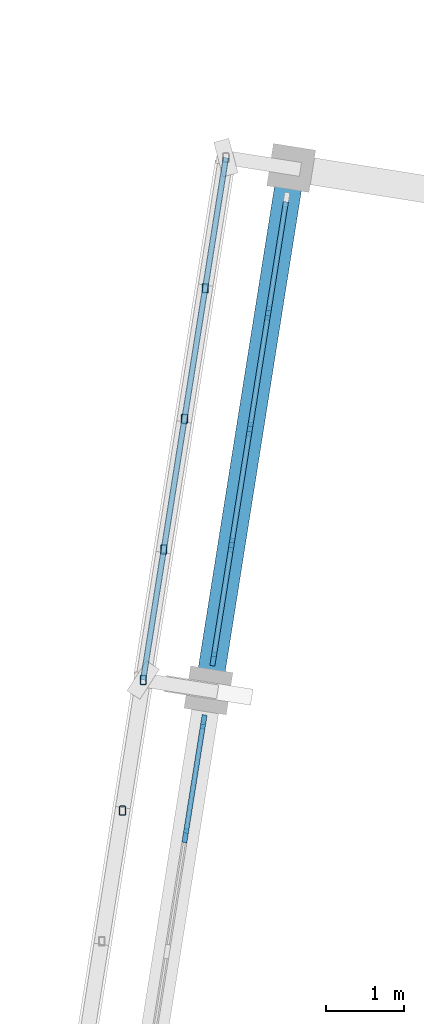
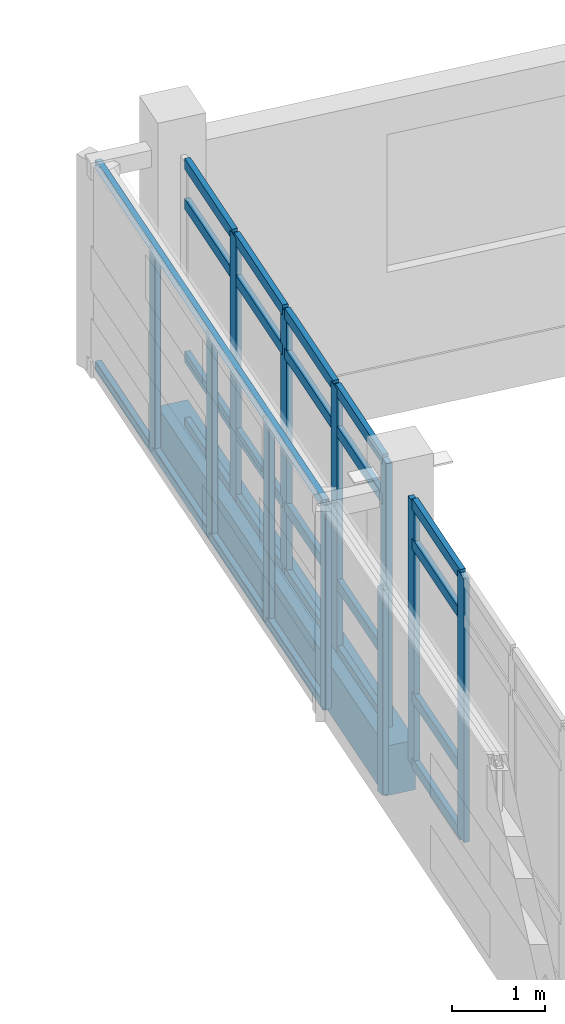
# One storey, part 55 of 117: 33 members, 1 beam, 2 elements without a shape of their own.
"""IFC4 building model written with IfcOpenShell, lengths in metres."""

from ifc_helpers import new_model, si_unit, direction, frame, origin, origin_2d, place, context, subcontext, project, spatial, rectangle, hollow_rectangle, extrude, material, material_profile, profile_set, type_object, element, aggregate, save


model = new_model("IFC4")

# Units and contexts
model_context = context("Model", 3, precision=1e-05, world=origin(), true_north=direction((0.0, 1.0)))
body_context = subcontext(model_context, "Body", "Model", "MODEL_VIEW")
ifc_project = project(units=[si_unit("LENGTHUNIT", "METRE"), si_unit("AREAUNIT", "SQUARE_METRE"), si_unit("VOLUMEUNIT", "CUBIC_METRE"), si_unit("PLANEANGLEUNIT", "RADIAN"), si_unit("MASSUNIT", "GRAM", prefix="KILO")], contexts=[model_context])

# Site, building, storey
site_placement = place(None, origin())
site = spatial("IfcSite", under=ifc_project, at=site_placement, CompositionType="ELEMENT")
building_placement = place(site_placement, origin())
building = spatial("IfcBuilding", under=site, at=building_placement, Name="Cinderway Yard Community Centre", CompositionType="ELEMENT")
storey_placement = place(building_placement, frame((0.0, 0.0, 9.0)))
storey = spatial("IfcBuildingStorey", under=building, at=storey_placement, Name="L02", CompositionType="ELEMENT", Elevation=9.0)

# Curtain wall, members
ifc_material_1 = material(Name="Aluminium 6063-T6", Category="aluminium")
curtain_wall_type = type_object("IfcCurtainWallType", Name="ENV-CW-TYPE-17", PredefinedType="USERDEFINED", material=ifc_material_1)
curtain_wall_1_placement = place(storey_placement, origin())
curtain_wall_1 = element("IfcCurtainWall", 1, at=curtain_wall_1_placement, inside=storey, type_object=curtain_wall_type, Name="Sports Hall Courtyard Curtain Wall ENV-CW-L02-HS-0064", ObjectType="GLAZED CURTAIN WALL", PredefinedType="USERDEFINED")
ifc_material_profile_1 = material_profile(ifc_material_1, rectangle(XDim=0.06494140625, YDim=0.179931640625, at=origin_2d()), Name="Aluminium 6063-T6")
ifc_profile_set_1 = profile_set([ifc_material_profile_1], Name="Aluminium 6063-T6")
member_type_1 = type_object("IfcMemberType", Name="ENV-CW-MULL-180", PredefinedType="MULLION", material=ifc_profile_set_1)
member_1_placement = place(storey_placement, frame((123.0234375, 69.714599609375, 0.0), z_axis=(0.0, 0.0, 1.0), x_axis=(-0.987660740525, 0.156608625643, 0.0)))
member_1 = element("IfcMember", 2, at=member_1_placement, type_object=member_type_1, Name="CW-17 mullion 4", PredefinedType="MULLION", context=body_context, shape_type="SweptSolid", body=[
    extrude(rectangle(XDim=0.06494140625, YDim=0.179931640625, at=origin_2d()), origin(), (0.0, 0.0, 1.0), 3.449951171875),
])
member_2_placement = place(storey_placement, frame((123.25537109375, 71.17626953125, 0.0), z_axis=(0.0, 0.0, 1.0), x_axis=(-0.987660740525, 0.156608625643, 0.0)))
member_2 = element("IfcMember", 3, at=member_2_placement, type_object=member_type_1, Name="CW-17 mullion 5", PredefinedType="MULLION", context=body_context, shape_type="SweptSolid", body=[
    extrude(rectangle(XDim=0.06494140625, YDim=0.179931640625, at=origin_2d()), origin(), (0.0, 0.0, 1.0), 3.449951171875),
])

curtain_wall_2_placement = place(storey_placement, origin())
curtain_wall_2 = element("IfcCurtainWall", 4, at=curtain_wall_2_placement, inside=storey, type_object=curtain_wall_type, Name="Sports Hall Courtyard Curtain Wall ENV-CW-L02-HS-0065", ObjectType="GLAZED CURTAIN WALL", PredefinedType="USERDEFINED")
member_3_placement = place(storey_placement, frame((123.3828125, 71.985595703125, 0.0), z_axis=(0.0, 0.0, 1.0), x_axis=(-0.987664799809, 0.156583023401, 0.0)))
member_3 = element("IfcMember", 5, at=member_3_placement, type_object=member_type_1, Name="CW-17 mullion 1", PredefinedType="MULLION", context=body_context, shape_type="SweptSolid", body=[
    extrude(rectangle(XDim=0.06494140625, YDim=0.179931640625, at=origin_2d()), origin(), (0.0, 0.0, 1.0), 3.449951171875),
])
member_4_placement = place(storey_placement, frame((123.614501953125, 73.44775390625, 0.0), z_axis=(0.0, 0.0, 1.0), x_axis=(-0.987664799809, 0.156583023401, 0.0)))
member_4 = element("IfcMember", 6, at=member_4_placement, type_object=member_type_1, Name="CW-17 mullion 2", PredefinedType="MULLION", context=body_context, shape_type="SweptSolid", body=[
    extrude(rectangle(XDim=0.06494140625, YDim=0.179931640625, at=origin_2d()), origin(), (0.0, 0.0, 1.0), 3.449951171875),
])
member_5_placement = place(storey_placement, frame((123.85107421875, 74.939453125, 0.0), z_axis=(0.0, 0.0, 1.0), x_axis=(-0.987664799809, 0.156583023401, 0.0)))
member_5 = element("IfcMember", 7, at=member_5_placement, type_object=member_type_1, Name="CW-17 mullion 3", PredefinedType="MULLION", context=body_context, shape_type="SweptSolid", body=[
    extrude(rectangle(XDim=0.06494140625, YDim=0.179931640625, at=origin_2d()), origin(), (0.0, 0.0, 1.0), 3.449951171875),
])
member_6_placement = place(storey_placement, frame((124.08740234375, 76.43115234375, 0.0), z_axis=(0.0, 0.0, 1.0), x_axis=(-0.987664799809, 0.156583023401, 0.0)))
member_6 = element("IfcMember", 8, at=member_6_placement, type_object=member_type_1, Name="CW-17 mullion 4", PredefinedType="MULLION", context=body_context, shape_type="SweptSolid", body=[
    extrude(rectangle(XDim=0.06494140625, YDim=0.179931640625, at=origin_2d()), origin(), (0.0, 0.0, 1.0), 3.449951171875),
])

# Member
ifc_material_profile_2 = material_profile(ifc_material_1, rectangle(XDim=0.06494140625, YDim=0.139892578125, at=origin_2d()), Name="Aluminium 6063-T6")
ifc_profile_set_2 = profile_set([ifc_material_profile_2], Name="Aluminium 6063-T6")
member_type_2 = type_object("IfcMemberType", Name="ENV-CW-TRAN-140", PredefinedType="USERDEFINED", material=ifc_profile_set_2)
member_7_placement = place(storey_placement, frame((123.0283203125, 69.744140625, 0.030029296875), z_axis=(0.156448115308, 0.987686178508, 0.0), x_axis=(-0.987686178508, 0.156448115308, 0.0)))
member_7 = element("IfcMember", 9, at=member_7_placement, type_object=member_type_2, Name="CW-17 transom 4.1", ObjectType="TRANSOM", PredefinedType="USERDEFINED", context=body_context, shape_type="SweptSolid", body=[
    extrude(rectangle(XDim=0.06494140625, YDim=0.139892578125, at=origin_2d()), origin(), (0.0, 0.0, 1.0), 1.420166015625),
])

member_8_placement = place(storey_placement, frame((123.0283203125, 69.744140625, 0.89990234375), z_axis=(0.156448115308, 0.987686178508, 0.0), x_axis=(-0.987686178508, 0.156448115308, 0.0)))
member_8 = element("IfcMember", 10, at=member_8_placement, type_object=member_type_2, Name="CW-17 transom 4.2", ObjectType="TRANSOM", PredefinedType="USERDEFINED", context=body_context, shape_type="SweptSolid", body=[
    extrude(rectangle(XDim=0.06494140625, YDim=0.139892578125, at=origin_2d()), origin(), (0.0, 0.0, 1.0), 1.420166015625),
])

member_9_placement = place(storey_placement, frame((123.0283203125, 69.744140625, 2.89990234375), z_axis=(0.156448115308, 0.987686178508, 0.0), x_axis=(-0.987686178508, 0.156448115308, 0.0)))
member_9 = element("IfcMember", 11, at=member_9_placement, type_object=member_type_2, Name="CW-17 transom 4.3", ObjectType="TRANSOM", PredefinedType="USERDEFINED", context=body_context, shape_type="SweptSolid", body=[
    extrude(rectangle(XDim=0.06494140625, YDim=0.139892578125, at=origin_2d()), origin(), (0.0, 0.0, 1.0), 1.420166015625),
])

member_10_placement = place(storey_placement, frame((123.0283203125, 69.744140625, 3.419921875), z_axis=(0.156448115308, 0.987686178508, 0.0), x_axis=(-0.987686178508, 0.156448115308, 0.0)))
member_10 = element("IfcMember", 12, at=member_10_placement, type_object=member_type_2, Name="CW-17 transom 4.4", ObjectType="TRANSOM", PredefinedType="USERDEFINED", context=body_context, shape_type="SweptSolid", body=[
    extrude(rectangle(XDim=0.06494140625, YDim=0.139892578125, at=origin_2d()), origin(), (0.0, 0.0, 1.0), 1.420166015625),
])

aggregate(curtain_wall_1, [member_1, member_2, member_7, member_8, member_9, member_10])

member_11_placement = place(storey_placement, frame((123.387451171875, 72.015380859375, 0.030029296875), z_axis=(0.1565892335, 0.987663815249, 0.0), x_axis=(-0.987663815249, 0.1565892335, 0.0)))
member_11 = element("IfcMember", 13, at=member_11_placement, type_object=member_type_2, Name="CW-17 transom 1.1", ObjectType="TRANSOM", PredefinedType="USERDEFINED", context=body_context, shape_type="SweptSolid", body=[
    extrude(rectangle(XDim=0.06494140625, YDim=0.139892578125, at=origin_2d()), origin(), (0.0, 0.0, 1.0), 1.42041015625),
])

member_12_placement = place(storey_placement, frame((123.387451171875, 72.015380859375, 0.89990234375), z_axis=(0.1565892335, 0.987663815249, 0.0), x_axis=(-0.987663815249, 0.1565892335, 0.0)))
member_12 = element("IfcMember", 14, at=member_12_placement, type_object=member_type_2, Name="CW-17 transom 1.2", ObjectType="TRANSOM", PredefinedType="USERDEFINED", context=body_context, shape_type="SweptSolid", body=[
    extrude(rectangle(XDim=0.06494140625, YDim=0.139892578125, at=origin_2d()), origin(), (0.0, 0.0, 1.0), 1.42041015625),
])

member_13_placement = place(storey_placement, frame((123.387451171875, 72.015380859375, 2.89990234375), z_axis=(0.1565892335, 0.987663815249, 0.0), x_axis=(-0.987663815249, 0.1565892335, 0.0)))
member_13 = element("IfcMember", 15, at=member_13_placement, type_object=member_type_2, Name="CW-17 transom 1.3", ObjectType="TRANSOM", PredefinedType="USERDEFINED", context=body_context, shape_type="SweptSolid", body=[
    extrude(rectangle(XDim=0.06494140625, YDim=0.139892578125, at=origin_2d()), origin(), (0.0, 0.0, 1.0), 1.42041015625),
])

member_14_placement = place(storey_placement, frame((123.387451171875, 72.015380859375, 3.419921875), z_axis=(0.1565892335, 0.987663815249, 0.0), x_axis=(-0.987663815249, 0.1565892335, 0.0)))
member_14 = element("IfcMember", 16, at=member_14_placement, type_object=member_type_2, Name="CW-17 transom 1.4", ObjectType="TRANSOM", PredefinedType="USERDEFINED", context=body_context, shape_type="SweptSolid", body=[
    extrude(rectangle(XDim=0.06494140625, YDim=0.139892578125, at=origin_2d()), origin(), (0.0, 0.0, 1.0), 1.42041015625),
])

member_15_placement = place(storey_placement, frame((123.619140625, 73.477294921875, 0.030029296875), z_axis=(0.156532999021, 0.987672729307, 0.0), x_axis=(-0.987672729307, 0.156532999021, 0.0)))
member_15 = element("IfcMember", 17, at=member_15_placement, type_object=member_type_2, Name="CW-17 transom 2.1", ObjectType="TRANSOM", PredefinedType="USERDEFINED", context=body_context, shape_type="SweptSolid", body=[
    extrude(rectangle(XDim=0.06494140625, YDim=0.139892578125, at=origin_2d()), origin(), (0.0, 0.0, 1.0), 1.450439453125),
])

member_16_placement = place(storey_placement, frame((123.619140625, 73.477294921875, 0.89990234375), z_axis=(0.156532999021, 0.987672729307, 0.0), x_axis=(-0.987672729307, 0.156532999021, 0.0)))
member_16 = element("IfcMember", 18, at=member_16_placement, type_object=member_type_2, Name="CW-17 transom 2.2", ObjectType="TRANSOM", PredefinedType="USERDEFINED", context=body_context, shape_type="SweptSolid", body=[
    extrude(rectangle(XDim=0.06494140625, YDim=0.139892578125, at=origin_2d()), origin(), (0.0, 0.0, 1.0), 1.450439453125),
])

member_17_placement = place(storey_placement, frame((123.619140625, 73.477294921875, 2.89990234375), z_axis=(0.156532999021, 0.987672729307, 0.0), x_axis=(-0.987672729307, 0.156532999021, 0.0)))
member_17 = element("IfcMember", 19, at=member_17_placement, type_object=member_type_2, Name="CW-17 transom 2.3", ObjectType="TRANSOM", PredefinedType="USERDEFINED", context=body_context, shape_type="SweptSolid", body=[
    extrude(rectangle(XDim=0.06494140625, YDim=0.139892578125, at=origin_2d()), origin(), (0.0, 0.0, 1.0), 1.450439453125),
])

member_18_placement = place(storey_placement, frame((123.619140625, 73.477294921875, 3.419921875), z_axis=(0.156532999021, 0.987672729307, 0.0), x_axis=(-0.987672729307, 0.156532999021, 0.0)))
member_18 = element("IfcMember", 20, at=member_18_placement, type_object=member_type_2, Name="CW-17 transom 2.4", ObjectType="TRANSOM", PredefinedType="USERDEFINED", context=body_context, shape_type="SweptSolid", body=[
    extrude(rectangle(XDim=0.06494140625, YDim=0.139892578125, at=origin_2d()), origin(), (0.0, 0.0, 1.0), 1.450439453125),
])

member_19_placement = place(storey_placement, frame((123.855712890625, 74.96923828125, 0.030029296875), z_axis=(0.156559025368, 0.987668604126, 0.0), x_axis=(-0.987668604126, 0.156559025368, 0.0)))
member_19 = element("IfcMember", 21, at=member_19_placement, type_object=member_type_2, Name="CW-17 transom 3.1", ObjectType="TRANSOM", PredefinedType="USERDEFINED", context=body_context, shape_type="SweptSolid", body=[
    extrude(rectangle(XDim=0.06494140625, YDim=0.139892578125, at=origin_2d()), origin(), (0.0, 0.0, 1.0), 1.4501953125),
])

member_20_placement = place(storey_placement, frame((123.855712890625, 74.96923828125, 0.89990234375), z_axis=(0.156559025368, 0.987668604126, 0.0), x_axis=(-0.987668604126, 0.156559025368, 0.0)))
member_20 = element("IfcMember", 22, at=member_20_placement, type_object=member_type_2, Name="CW-17 transom 3.2", ObjectType="TRANSOM", PredefinedType="USERDEFINED", context=body_context, shape_type="SweptSolid", body=[
    extrude(rectangle(XDim=0.06494140625, YDim=0.139892578125, at=origin_2d()), origin(), (0.0, 0.0, 1.0), 1.4501953125),
])

member_21_placement = place(storey_placement, frame((123.855712890625, 74.96923828125, 2.89990234375), z_axis=(0.156559025368, 0.987668604126, 0.0), x_axis=(-0.987668604126, 0.156559025368, 0.0)))
member_21 = element("IfcMember", 23, at=member_21_placement, type_object=member_type_2, Name="CW-17 transom 3.3", ObjectType="TRANSOM", PredefinedType="USERDEFINED", context=body_context, shape_type="SweptSolid", body=[
    extrude(rectangle(XDim=0.06494140625, YDim=0.139892578125, at=origin_2d()), origin(), (0.0, 0.0, 1.0), 1.4501953125),
])

member_22_placement = place(storey_placement, frame((123.855712890625, 74.96923828125, 3.419921875), z_axis=(0.156559025368, 0.987668604126, 0.0), x_axis=(-0.987668604126, 0.156559025368, 0.0)))
member_22 = element("IfcMember", 24, at=member_22_placement, type_object=member_type_2, Name="CW-17 transom 3.4", ObjectType="TRANSOM", PredefinedType="USERDEFINED", context=body_context, shape_type="SweptSolid", body=[
    extrude(rectangle(XDim=0.06494140625, YDim=0.139892578125, at=origin_2d()), origin(), (0.0, 0.0, 1.0), 1.4501953125),
])

member_23_placement = place(storey_placement, frame((124.09228515625, 76.4609375, 0.030029296875), z_axis=(0.1565892335, 0.987663815249, 0.0), x_axis=(-0.987663815249, 0.1565892335, 0.0)))
member_23 = element("IfcMember", 25, at=member_23_placement, type_object=member_type_2, Name="CW-17 transom 4.1", ObjectType="TRANSOM", PredefinedType="USERDEFINED", context=body_context, shape_type="SweptSolid", body=[
    extrude(rectangle(XDim=0.06494140625, YDim=0.139892578125, at=origin_2d()), origin(), (0.0, 0.0, 1.0), 1.42041015625),
])

member_24_placement = place(storey_placement, frame((124.09228515625, 76.4609375, 0.89990234375), z_axis=(0.1565892335, 0.987663815249, 0.0), x_axis=(-0.987663815249, 0.1565892335, 0.0)))
member_24 = element("IfcMember", 26, at=member_24_placement, type_object=member_type_2, Name="CW-17 transom 4.2", ObjectType="TRANSOM", PredefinedType="USERDEFINED", context=body_context, shape_type="SweptSolid", body=[
    extrude(rectangle(XDim=0.06494140625, YDim=0.139892578125, at=origin_2d()), origin(), (0.0, 0.0, 1.0), 1.42041015625),
])

member_25_placement = place(storey_placement, frame((124.09228515625, 76.4609375, 2.89990234375), z_axis=(0.1565892335, 0.987663815249, 0.0), x_axis=(-0.987663815249, 0.1565892335, 0.0)))
member_25 = element("IfcMember", 27, at=member_25_placement, type_object=member_type_2, Name="CW-17 transom 4.3", ObjectType="TRANSOM", PredefinedType="USERDEFINED", context=body_context, shape_type="SweptSolid", body=[
    extrude(rectangle(XDim=0.06494140625, YDim=0.139892578125, at=origin_2d()), origin(), (0.0, 0.0, 1.0), 1.42041015625),
])

member_26_placement = place(storey_placement, frame((124.09228515625, 76.4609375, 3.419921875), z_axis=(0.1565892335, 0.987663815249, 0.0), x_axis=(-0.987663815249, 0.1565892335, 0.0)))
member_26 = element("IfcMember", 28, at=member_26_placement, type_object=member_type_2, Name="CW-17 transom 4.4", ObjectType="TRANSOM", PredefinedType="USERDEFINED", context=body_context, shape_type="SweptSolid", body=[
    extrude(rectangle(XDim=0.06494140625, YDim=0.139892578125, at=origin_2d()), origin(), (0.0, 0.0, 1.0), 1.42041015625),
])

aggregate(curtain_wall_2, [member_3, member_4, member_5, member_6, member_11, member_12, member_13, member_14, member_15, member_16, member_17, member_18, member_19, member_20, member_21, member_22, member_23, member_24, member_25, member_26])

# Members
ifc_material_2 = material(Name="Steel S355", Category="steel")
ifc_material_profile_3 = material_profile(ifc_material_2, hollow_rectangle(XDim=0.080078125, YDim=0.1201171875, WallThickness=0.00634765625, InnerFilletRadius=0.00634765625, OuterFilletRadius=0.0126953125, at=origin_2d()), Name="Steel S355")
ifc_profile_set_3 = profile_set([ifc_material_profile_3], Name="Steel S355")
member_type_3 = type_object("IfcMemberType", Name="ENV-MEM-SCREEN-RAIL-120", PredefinedType="STRINGER", material=ifc_profile_set_3)
for number, where, z_axis, x_axis, name in (
    (29, (122.212890625, 70.034912109375, 0.68994140625), (0.0, 0.0, 1.0), (1.0, 0.0, 0.0), "Screen vertical mullion 1073"),
    (30, (122.47900390625, 71.714111328125, 0.68994140625), (0.0, 0.0, 1.0), (1.0, 0.0, 0.0), "Screen vertical mullion 1074"),
):
    element("IfcMember", number, at=place(storey_placement, frame(where, z_axis=z_axis, x_axis=x_axis)), inside=storey, type_object=member_type_3, Name=name, PredefinedType="STRINGER", context=body_context, shape_type="SweptSolid", body=[
        extrude(hollow_rectangle(XDim=0.080078125, YDim=0.1201171875, WallThickness=0.00634765625, InnerFilletRadius=0.00634765625, OuterFilletRadius=0.0126953125, at=origin_2d()), origin(), (0.0, 0.0, 1.0), 2.670166015625),
    ])
for number, where, z_axis, x_axis, name in (
    (31, (122.47900390625, 71.714111328125, 0.7099609375), (0.15645293114, 0.987685415675, 0.0), (-0.987685415675, 0.15645293114, 0.0), "Screen support rail 1076-BOT"),
    (32, (122.47900390625, 71.714111328125, 3.340087890625), (0.15645293114, 0.987685415675, 0.0), (-0.987685415675, 0.15645293114, 0.0), "Screen support rail 1077-TOP"),
):
    element("IfcMember", number, at=place(storey_placement, frame(where, z_axis=z_axis, x_axis=x_axis)), inside=storey, type_object=member_type_3, Name=name, PredefinedType="STRINGER", context=body_context, shape_type="SweptSolid", body=[
        extrude(hollow_rectangle(XDim=0.080078125, YDim=0.1201171875, WallThickness=0.00634765625, InnerFilletRadius=0.00634765625, OuterFilletRadius=0.0126953125, at=origin_2d()), origin(), (0.0, 0.0, 1.0), 6.800537109375),
    ])
for number, where, z_axis, x_axis, name in (
    (33, (122.7451171875, 73.39306640625, 0.68994140625), (0.0, 0.0, 1.0), (1.0, 0.0, 0.0), "Screen vertical mullion 1078"),
    (34, (123.010986328125, 75.072021484375, 0.68994140625), (0.0, 0.0, 1.0), (1.0, 0.0, 0.0), "Screen vertical mullion 1079"),
    (35, (123.277099609375, 76.751953125, 0.68994140625), (0.0, 0.0, 1.0), (1.0, 0.0, 0.0), "Screen vertical mullion 1080"),
):
    element("IfcMember", number, at=place(storey_placement, frame(where, z_axis=z_axis, x_axis=x_axis)), inside=storey, type_object=member_type_3, Name=name, PredefinedType="STRINGER", context=body_context, shape_type="SweptSolid", body=[
        extrude(hollow_rectangle(XDim=0.080078125, YDim=0.1201171875, WallThickness=0.00634765625, InnerFilletRadius=0.00634765625, OuterFilletRadius=0.0126953125, at=origin_2d()), origin(), (0.0, 0.0, 1.0), 2.670166015625),
    ])

# Beam
ifc_material_3 = material(Name="Concrete C35/45", Category="concrete")
ifc_material_profile_4 = material_profile(ifc_material_3, rectangle(XDim=0.35009765625, YDim=0.64990234375, at=origin_2d()), Name="Concrete C35/45")
ifc_profile_set_4 = profile_set([ifc_material_profile_4], Name="Concrete C35/45")
beam_type = type_object("IfcBeamType", Name="STR-BM-RC350X650", PredefinedType="BEAM", material=ifc_profile_set_4)
beam_placement = place(storey_placement, frame((123.319091796875, 71.5810546875, -0.324951171875), z_axis=(0.156447383815, 0.987686294376, 0.0), x_axis=(-0.987686294376, 0.156447383815, 0.0)))
element("IfcBeam", 36, at=beam_placement, inside=storey, type_object=beam_type, Name="Sports Hall west ring beam STR-BM-L02-BG08-0427", PredefinedType="BEAM", context=body_context, shape_type="SweptSolid", body=[
    extrude(rectangle(XDim=0.35009765625, YDim=0.64990234375, at=origin_2d()), origin(), (0.0, 0.0, 1.0), 6.80078125),
])

save(model, "model.ifc")
